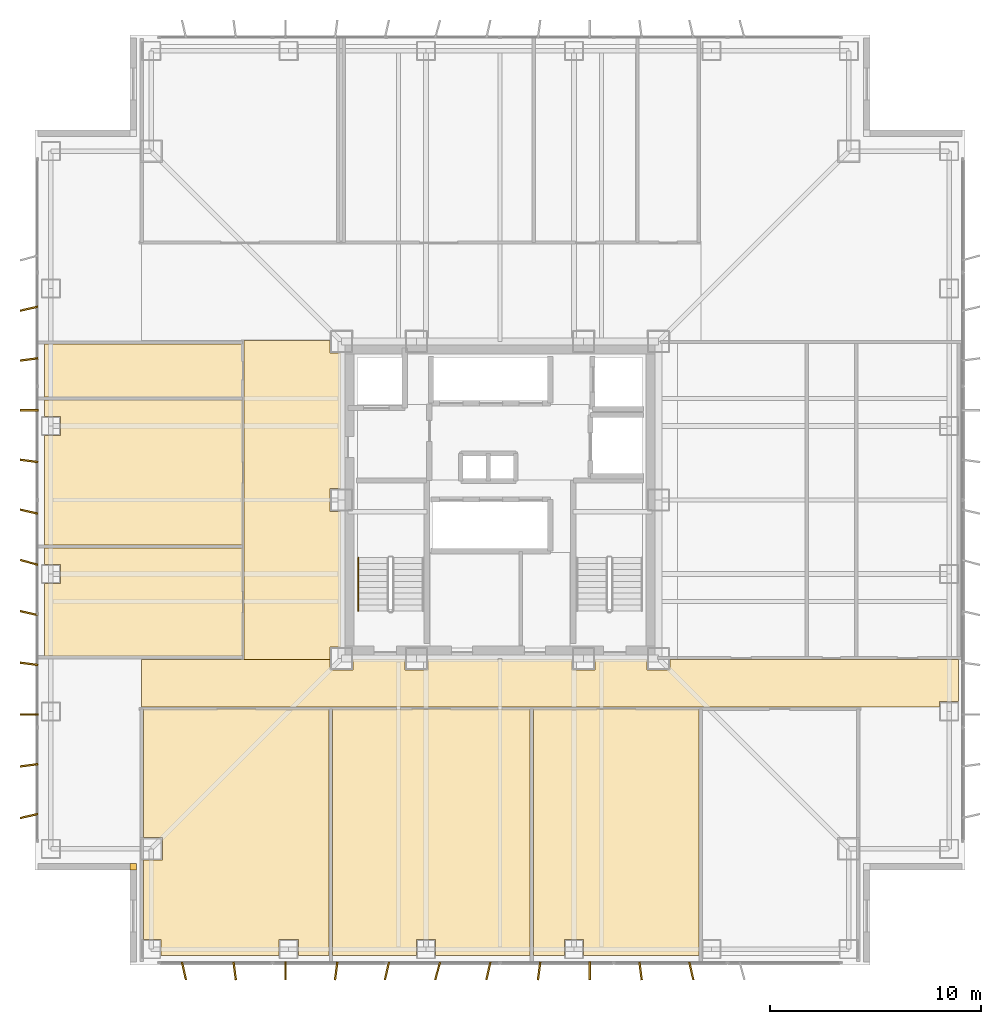
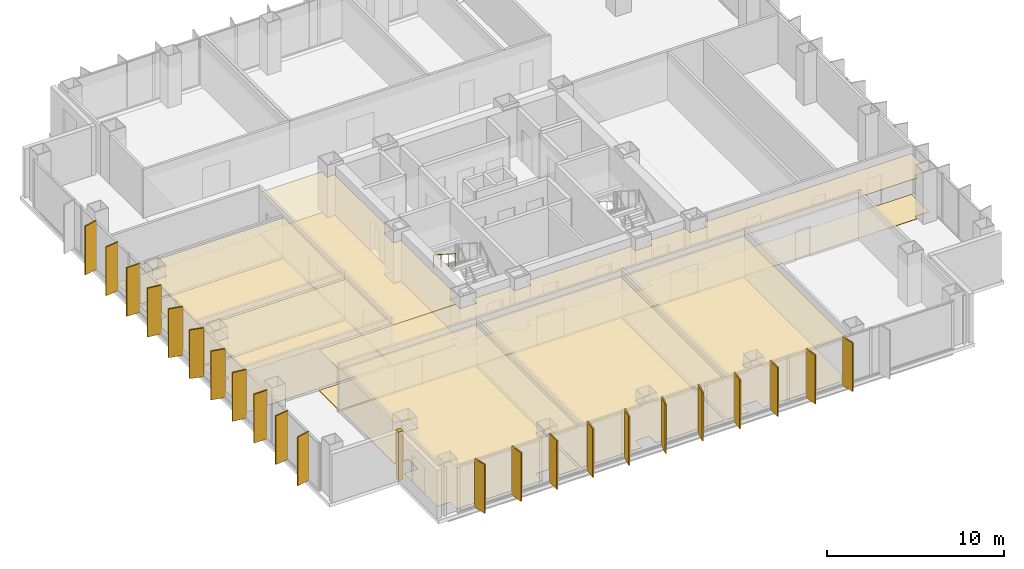
# One storey, part 12 of 14: 22 shading devices, 16 coverings, 1 railing.
"""IFC4 building model written with IfcOpenShell, lengths in metres."""

from ifc_helpers import new_model, si_unit, direction, frame, origin, origin_2d, place, context, subcontext, project, spatial, polyline, rectangle, circle, outline, extrude, material, layer, layer_set, type_object, element, save


model = new_model("IFC4")

# Units and contexts
model_context = context("Model", 3, precision=1e-05, world=origin(), true_north=direction((0.0, 1.0)))
body_context = subcontext(model_context, "Body", "Model", "MODEL_VIEW")
ifc_project = project(units=[si_unit("LENGTHUNIT", "METRE"), si_unit("AREAUNIT", "SQUARE_METRE"), si_unit("VOLUMEUNIT", "CUBIC_METRE"), si_unit("PLANEANGLEUNIT", "RADIAN"), si_unit("MASSUNIT", "GRAM", prefix="KILO")], contexts=[model_context])

# Site, building, storey
site_placement = place(None, origin())
site = spatial("IfcSite", under=ifc_project, at=site_placement, CompositionType="ELEMENT")
building_placement = place(site_placement, origin())
building = spatial("IfcBuilding", under=site, at=building_placement, Name="Trevonay Congress Spire", CompositionType="ELEMENT")
storey_placement = place(building_placement, frame((0.0, 0.0, 137.199951171875)))
storey = spatial("IfcBuildingStorey", under=building, at=storey_placement, Name="L35", CompositionType="ELEMENT", Elevation=137.199951171875)

# Coverings
ifc_material_1 = material(Name="Acoustic Mineral Fibre Board", Category="gypsum")
ifc_layer_1 = layer(ifc_material_1, 0.02490234375, Name="Acoustic Mineral Fibre Board")
ifc_layer_set_1 = layer_set([ifc_layer_1], Name="Acoustic Mineral Fibre Board")
covering_type_1 = type_object("IfcCoveringType", Name="COV-CEIL-ACOUSTIC", PredefinedType="CEILING", material=ifc_layer_set_1)
covering_1_placement = place(storey_placement, frame((0.0, 0.0, 2.81005859375)))
element("IfcCovering", 1, at=covering_1_placement, inside=storey, type_object=covering_type_1, Name="L35 Congress South Spine Corridor acoustic suspended ceiling", PredefinedType="CEILING", context=body_context, shape_type="SweptSolid", body=[
    extrude(outline(polyline([(-16.949951171875, -9.800048828125), (-16.949951171875, -7.550048828125), (-8.034912109375, -7.550048828125), (-8.034912109375, -8.034912109375), (-6.965087890625, -8.034912109375), (-6.965087890625, -7.550048828125), (-4.485107421875, -7.550048828125), (-4.485107421875, -8.034912109375), (-3.4150390625, -8.034912109375), (-3.4150390625, -7.550048828125), (3.4150390625, -7.550048828125), (3.4150390625, -8.034912109375), (4.485107421875, -8.034912109375), (4.485107421875, -7.550048828125), (6.965087890625, -7.550048828125), (6.965087890625, -8.034912109375), (8.034912109375, -8.034912109375), (8.034912109375, -7.550048828125), (21.699951171875, -7.550048828125), (21.699951171875, -9.5400390625), (20.7900390625, -9.5400390625), (20.7900390625, -9.800048828125), (-16.949951171875, -9.800048828125)])), origin(), (0.0, 0.0, 1.0), 0.02490234375),
])
covering_2_placement = place(storey_placement, frame((0.0, 0.0, 2.81005859375)))
element("IfcCovering", 2, at=covering_2_placement, inside=storey, type_object=covering_type_1, Name="L35 West Sky Promenade Salon acoustic suspended ceiling", PredefinedType="CEILING", context=body_context, shape_type="SweptSolid", body=[
    extrude(outline(polyline([(-12.10009765625, 7.550048828125), (-8.034912109375, 7.550048828125), (-8.034912109375, 6.965087890625), (-7.550048828125, 6.965087890625), (-7.550048828125, 0.534912109375), (-8.034912109375, 0.534912109375), (-8.034912109375, -0.534912109375), (-7.550048828125, -0.534912109375), (-7.550048828125, -6.965087890625), (-8.034912109375, -6.965087890625), (-8.034912109375, -7.5400390625), (-12.10009765625, -7.5400390625), (-12.10009765625, 7.550048828125)])), origin(), (0.0, 0.0, 1.0), 0.02490234375),
])
covering_3_placement = place(storey_placement, frame((0.0, 0.0, 2.81005859375)))
element("IfcCovering", 3, at=covering_3_placement, inside=storey, type_object=covering_type_1, Name="L35 Diplomatic Academy Lecture Room 1 acoustic suspended ceiling", PredefinedType="CEILING", context=body_context, shape_type="SweptSolid", body=[
    extrude(outline(polyline([(-16.0400390625, -21.550048828125), (-16.0400390625, -20.7900390625), (-16.8701171875, -20.7900390625), (-16.8701171875, -17.034912109375), (-15.965087890625, -17.034912109375), (-15.965087890625, -15.965087890625), (-16.8701171875, -15.965087890625), (-16.8701171875, -9.8798828125), (-8.080078125, -9.8798828125), (-8.080078125, -21.550048828125), (-9.5400390625, -21.550048828125), (-9.5400390625, -20.7900390625), (-10.4599609375, -20.7900390625), (-10.4599609375, -21.550048828125), (-16.0400390625, -21.550048828125)])), origin(), (0.0, 0.0, 1.0), 0.02490234375),
])
covering_4_placement = place(storey_placement, frame((0.0, 0.0, 2.81005859375)))
element("IfcCovering", 4, at=covering_4_placement, inside=storey, type_object=covering_type_1, Name="L35 Language Lab Classroom 2 acoustic suspended ceiling", PredefinedType="CEILING", context=body_context, shape_type="SweptSolid", body=[
    extrude(outline(polyline([(-7.919921875, -21.550048828125), (-7.919921875, -9.8798828125), (1.419921875, -9.8798828125), (1.419921875, -21.550048828125), (-3.0400390625, -21.550048828125), (-3.0400390625, -20.7900390625), (-3.9599609375, -20.7900390625), (-3.9599609375, -21.550048828125), (-7.919921875, -21.550048828125)])), origin(), (0.0, 0.0, 1.0), 0.02490234375),
])
covering_5_placement = place(storey_placement, frame((0.0, 0.0, 2.81005859375)))
element("IfcCovering", 5, at=covering_5_placement, inside=storey, type_object=covering_type_1, Name="L35 Reference Library Reading Hall acoustic suspended ceiling", PredefinedType="CEILING", context=body_context, shape_type="SweptSolid", body=[
    extrude(outline(polyline([(1.580078125, -21.550048828125), (1.580078125, -9.8798828125), (9.419921875, -9.8798828125), (9.419921875, -21.550048828125), (3.9599609375, -21.550048828125), (3.9599609375, -20.7900390625), (3.0400390625, -20.7900390625), (3.0400390625, -21.550048828125), (1.580078125, -21.550048828125)])), origin(), (0.0, 0.0, 1.0), 0.02490234375),
])
covering_6_placement = place(storey_placement, frame((0.0, 0.0, 2.81005859375)))
element("IfcCovering", 6, at=covering_6_placement, inside=storey, type_object=covering_type_1, Name="L35 Faculty Office West acoustic suspended ceiling", PredefinedType="CEILING", context=body_context, shape_type="SweptSolid", body=[
    extrude(outline(polyline([(-21.550048828125, -2.280029296875), (-12.179931640625, -2.280029296875), (-12.179931640625, -7.3701171875), (-21.550048828125, -7.3701171875), (-21.550048828125, -3.9599609375), (-20.7900390625, -3.9599609375), (-20.7900390625, -3.0400390625), (-21.550048828125, -3.0400390625), (-21.550048828125, -2.280029296875)])), origin(), (0.0, 0.0, 1.0), 0.02490234375),
])
covering_7_placement = place(storey_placement, frame((0.0, 0.0, 2.81005859375)))
element("IfcCovering", 7, at=covering_7_placement, inside=storey, type_object=covering_type_1, Name="L35 Tutorial Seminar Room acoustic suspended ceiling", PredefinedType="CEILING", context=body_context, shape_type="SweptSolid", body=[
    extrude(outline(polyline([(-21.550048828125, 4.719970703125), (-12.179931640625, 4.719970703125), (-12.179931640625, -2.1201171875), (-21.550048828125, -2.1201171875), (-21.550048828125, 3.0400390625), (-20.7900390625, 3.0400390625), (-20.7900390625, 3.9599609375), (-21.550048828125, 3.9599609375), (-21.550048828125, 4.719970703125)])), origin(), (0.0, 0.0, 1.0), 0.02490234375),
])
ifc_material_2 = material(Name="Polished Granite Floor Tile", Category="masonry")
ifc_layer_2 = layer(ifc_material_2, 0.02001953125, Name="Polished Granite Floor Tile")
ifc_layer_set_2 = layer_set([ifc_layer_2], Name="Polished Granite Floor Tile")
covering_type_2 = type_object("IfcCoveringType", Name="COV-FLOOR-STONE", PredefinedType="FLOORING", material=ifc_layer_set_2)
covering_8_placement = place(storey_placement, origin())
element("IfcCovering", 8, at=covering_8_placement, inside=storey, type_object=covering_type_2, Name="L35 Congress South Spine Corridor floor finish", PredefinedType="FLOORING", context=body_context, shape_type="SweptSolid", body=[
    extrude(outline(polyline([(-16.949951171875, -9.800048828125), (-16.949951171875, -7.550048828125), (-8.034912109375, -7.550048828125), (-8.034912109375, -8.034912109375), (-6.965087890625, -8.034912109375), (-6.965087890625, -7.550048828125), (-4.485107421875, -7.550048828125), (-4.485107421875, -8.034912109375), (-3.4150390625, -8.034912109375), (-3.4150390625, -7.550048828125), (3.4150390625, -7.550048828125), (3.4150390625, -8.034912109375), (4.485107421875, -8.034912109375), (4.485107421875, -7.550048828125), (6.965087890625, -7.550048828125), (6.965087890625, -8.034912109375), (8.034912109375, -8.034912109375), (8.034912109375, -7.550048828125), (21.699951171875, -7.550048828125), (21.699951171875, -9.5400390625), (20.7900390625, -9.5400390625), (20.7900390625, -9.800048828125), (-16.949951171875, -9.800048828125)])), origin(), (0.0, 0.0, 1.0), 0.02001953125),
])
covering_9_placement = place(storey_placement, origin())
element("IfcCovering", 9, at=covering_9_placement, inside=storey, type_object=covering_type_2, Name="L35 Accessible WC floor finish", PredefinedType="FLOORING", context=body_context, shape_type="SweptSolid", body=[
    extrude(outline(polyline([(-21.550048828125, 4.8798828125), (-12.179931640625, 4.8798828125), (-12.179931640625, 7.3701171875), (-21.550048828125, 7.3701171875), (-21.550048828125, 4.8798828125)])), origin(), (0.0, 0.0, 1.0), 0.02001953125),
])
ifc_material_3 = material(Name="Engineered Oak Flooring", Category="wood")
ifc_layer_3 = layer(ifc_material_3, 0.01806640625, Name="Engineered Oak Flooring")
ifc_layer_set_3 = layer_set([ifc_layer_3], Name="Engineered Oak Flooring")
covering_type_3 = type_object("IfcCoveringType", Name="COV-FLOOR-TIMBER", PredefinedType="FLOORING", material=ifc_layer_set_3)
covering_10_placement = place(storey_placement, origin())
element("IfcCovering", 10, at=covering_10_placement, inside=storey, type_object=covering_type_3, Name="L35 West Sky Promenade Salon floor finish", PredefinedType="FLOORING", context=body_context, shape_type="SweptSolid", body=[
    extrude(outline(polyline([(-12.10009765625, 7.550048828125), (-8.034912109375, 7.550048828125), (-8.034912109375, 6.965087890625), (-7.550048828125, 6.965087890625), (-7.550048828125, 0.534912109375), (-8.034912109375, 0.534912109375), (-8.034912109375, -0.534912109375), (-7.550048828125, -0.534912109375), (-7.550048828125, -6.965087890625), (-8.034912109375, -6.965087890625), (-8.034912109375, -7.5400390625), (-12.10009765625, -7.5400390625), (-12.10009765625, 7.550048828125)])), origin(), (0.0, 0.0, 1.0), 0.01806640625),
])
covering_11_placement = place(storey_placement, origin())
element("IfcCovering", 11, at=covering_11_placement, inside=storey, type_object=covering_type_3, Name="L35 Diplomatic Academy Lecture Room 1 floor finish", PredefinedType="FLOORING", context=body_context, shape_type="SweptSolid", body=[
    extrude(outline(polyline([(-16.0400390625, -21.550048828125), (-16.0400390625, -20.7900390625), (-16.8701171875, -20.7900390625), (-16.8701171875, -17.034912109375), (-15.965087890625, -17.034912109375), (-15.965087890625, -15.965087890625), (-16.8701171875, -15.965087890625), (-16.8701171875, -9.8798828125), (-8.080078125, -9.8798828125), (-8.080078125, -21.550048828125), (-9.5400390625, -21.550048828125), (-9.5400390625, -20.7900390625), (-10.4599609375, -20.7900390625), (-10.4599609375, -21.550048828125), (-16.0400390625, -21.550048828125)])), origin(), (0.0, 0.0, 1.0), 0.01806640625),
])
covering_12_placement = place(storey_placement, origin())
element("IfcCovering", 12, at=covering_12_placement, inside=storey, type_object=covering_type_3, Name="L35 Language Lab Classroom 2 floor finish", PredefinedType="FLOORING", context=body_context, shape_type="SweptSolid", body=[
    extrude(outline(polyline([(-7.919921875, -21.550048828125), (-7.919921875, -9.8798828125), (1.419921875, -9.8798828125), (1.419921875, -21.550048828125), (-3.0400390625, -21.550048828125), (-3.0400390625, -20.7900390625), (-3.9599609375, -20.7900390625), (-3.9599609375, -21.550048828125), (-7.919921875, -21.550048828125)])), origin(), (0.0, 0.0, 1.0), 0.01806640625),
])
covering_13_placement = place(storey_placement, origin())
element("IfcCovering", 13, at=covering_13_placement, inside=storey, type_object=covering_type_3, Name="L35 Reference Library Reading Hall floor finish", PredefinedType="FLOORING", context=body_context, shape_type="SweptSolid", body=[
    extrude(outline(polyline([(1.580078125, -21.550048828125), (1.580078125, -9.8798828125), (9.419921875, -9.8798828125), (9.419921875, -21.550048828125), (3.9599609375, -21.550048828125), (3.9599609375, -20.7900390625), (3.0400390625, -20.7900390625), (3.0400390625, -21.550048828125), (1.580078125, -21.550048828125)])), origin(), (0.0, 0.0, 1.0), 0.01806640625),
])
covering_14_placement = place(storey_placement, origin())
element("IfcCovering", 14, at=covering_14_placement, inside=storey, type_object=covering_type_3, Name="L35 Faculty Office West floor finish", PredefinedType="FLOORING", context=body_context, shape_type="SweptSolid", body=[
    extrude(outline(polyline([(-21.550048828125, -2.280029296875), (-12.179931640625, -2.280029296875), (-12.179931640625, -7.3701171875), (-21.550048828125, -7.3701171875), (-21.550048828125, -3.9599609375), (-20.7900390625, -3.9599609375), (-20.7900390625, -3.0400390625), (-21.550048828125, -3.0400390625), (-21.550048828125, -2.280029296875)])), origin(), (0.0, 0.0, 1.0), 0.01806640625),
])
covering_15_placement = place(storey_placement, origin())
element("IfcCovering", 15, at=covering_15_placement, inside=storey, type_object=covering_type_3, Name="L35 Tutorial Seminar Room floor finish", PredefinedType="FLOORING", context=body_context, shape_type="SweptSolid", body=[
    extrude(outline(polyline([(-21.550048828125, 4.719970703125), (-12.179931640625, 4.719970703125), (-12.179931640625, -2.1201171875), (-21.550048828125, -2.1201171875), (-21.550048828125, 3.0400390625), (-20.7900390625, 3.0400390625), (-20.7900390625, 3.9599609375), (-21.550048828125, 3.9599609375), (-21.550048828125, 4.719970703125)])), origin(), (0.0, 0.0, 1.0), 0.01806640625),
])
ifc_material_4 = material(Name="Pale Anodised Aluminium EN AW-6063-T6", Category="aluminium")
ifc_layer_4 = layer(ifc_material_4, 0.0400390625, Name="Pale Anodised Aluminium EN AW-6063-T6")
ifc_layer_set_4 = layer_set([ifc_layer_4], Name="Pale Anodised Aluminium EN AW-6063-T6")
covering_type_4 = type_object("IfcCoveringType", Name="COV-SPANDREL-PALE-METAL", PredefinedType="CLADDING", material=ifc_layer_set_4)
covering_16_placement = place(storey_placement, origin())
element("IfcCovering", 16, at=covering_16_placement, inside=storey, type_object=covering_type_4, Name="L35 SW re-entrant notch corner closure trim", PredefinedType="CLADDING", context=body_context, shape_type="SweptSolid", body=[
    extrude(outline(polyline([(-17.5, -17.5), (-17.199951171875, -17.5), (-17.199951171875, -17.199951171875), (-17.5, -17.199951171875), (-17.5, -17.5)])), origin(), (0.0, 0.0, 1.0), 3.360107421875),
])

# Railing
railing_type = type_object("IfcRailingType", Name="RAL-STAIR-HANDRAIL", PredefinedType="HANDRAIL", material=ifc_material_4)
railing_placement = place(storey_placement, frame((-6.699951171875, -2.72998046875, 1.97998046875)))
element("IfcRailing", 17, at=railing_placement, inside=storey, type_object=railing_type, Name="L35 ST-1 stair handrail 2", PredefinedType="HANDRAIL", context=body_context, shape_type="SweptSolid", body=[
    extrude(circle(Radius=0.02392578125, at=origin_2d()), frame((0.0, 0.0, 0.8759765625), z_axis=(0.0, -0.841162588446, 0.540782303519), x_axis=(1.0, 0.0, 0.0)), (0.0, 0.0, 1.0), 2.995849609375),
    extrude(circle(Radius=0.02099609375, at=origin_2d()), origin(), (0.0, 0.0, 1.0), 0.851806640625),
    extrude(circle(Radius=0.02099609375, at=origin_2d()), frame((0.0, -0.840087890625, 0.5400390625)), (0.0, 0.0, 1.0), 0.851806640625),
    extrude(circle(Radius=0.02099609375, at=origin_2d()), frame((0.0, -1.679931640625, 1.080078125)), (0.0, 0.0, 1.0), 0.851806640625),
    extrude(circle(Radius=0.02099609375, at=origin_2d()), frame((0.0, -2.52001953125, 1.6201171875)), (0.0, 0.0, 1.0), 0.851806640625),
])

# Shading devices
shading_device_type = type_object("IfcShadingDeviceType", Name="SHD-FIN-Z2-PALE-METAL", PredefinedType="USERDEFINED", material=ifc_material_4)
for number, where, z_axis, x_axis, name in (
    (18, (-14.949951171875, -22.280029296875, 0.0), (0.0, 0.0, 1.0), (0.97440931131, 0.224780991261, 0.0), "L35 S vertical pale-metal solar fin 1"),
    (19, (-12.550048828125, -22.280029296875, 0.0), (0.0, 0.0, 1.0), (0.991444861374, 0.13052619222, 0.0), "L35 S vertical pale-metal solar fin 2"),
    (20, (-10.14990234375, -22.280029296875, 0.0), (0.0, 0.0, 1.0), (1.0, 0.0, 0.0), "L35 S vertical pale-metal solar fin 3"),
    (21, (-7.75, -22.280029296875, 0.0), (0.0, 0.0, 1.0), (0.991444861374, -0.13052619222, 0.0), "L35 S vertical pale-metal solar fin 4"),
    (22, (-5.35009765625, -22.280029296875, 0.0), (0.0, 0.0, 1.0), (0.97440931131, -0.224780991261, 0.0), "L35 S vertical pale-metal solar fin 5"),
    (23, (-2.949951171875, -22.280029296875, 0.0), (0.0, 0.0, 1.0), (0.965925826289, -0.258819045103, 0.0), "L35 S vertical pale-metal solar fin 6"),
    (24, (-0.550048828125, -22.280029296875, 0.0), (0.0, 0.0, 1.0), (0.97440931131, -0.224780991261, 0.0), "L35 S vertical pale-metal solar fin 7"),
    (25, (1.85009765625, -22.280029296875, 0.0), (0.0, 0.0, 1.0), (0.991444861374, -0.13052619222, 0.0), "L35 S vertical pale-metal solar fin 8"),
    (26, (4.25, -22.280029296875, 0.0), (0.0, 0.0, 1.0), (1.0, 0.0, 0.0), "L35 S vertical pale-metal solar fin 9"),
    (27, (6.64990234375, -22.280029296875, 0.0), (0.0, 0.0, 1.0), (0.991444861374, 0.13052619222, 0.0), "L35 S vertical pale-metal solar fin 10"),
    (28, (9.050048828125, -22.280029296875, 0.0), (0.0, 0.0, 1.0), (0.97440931131, 0.224780991261, 0.0), "L35 S vertical pale-metal solar fin 11"),
    (29, (-22.280029296875, -14.949951171875, 0.0), (0.0, 0.0, 1.0), (-0.224780991261, 0.97440931131, 0.0), "L35 W vertical pale-metal solar fin 1"),
    (30, (-22.280029296875, -12.550048828125, 0.0), (0.0, 0.0, 1.0), (-0.13052619222, 0.991444861374, 0.0), "L35 W vertical pale-metal solar fin 2"),
    (31, (-22.280029296875, -10.14990234375, 0.0), (0.0, 0.0, 1.0), (0.0, 1.0, 0.0), "L35 W vertical pale-metal solar fin 3"),
    (32, (-22.280029296875, -7.75, 0.0), (0.0, 0.0, 1.0), (0.13052619222, 0.991444861374, 0.0), "L35 W vertical pale-metal solar fin 4"),
    (33, (-22.280029296875, -5.35009765625, 0.0), (0.0, 0.0, 1.0), (0.224780991261, 0.97440931131, 0.0), "L35 W vertical pale-metal solar fin 5"),
    (34, (-22.280029296875, -2.949951171875, 0.0), (0.0, 0.0, 1.0), (0.258819045103, 0.965925826289, 0.0), "L35 W vertical pale-metal solar fin 6"),
    (35, (-22.280029296875, -0.550048828125, 0.0), (0.0, 0.0, 1.0), (0.224780991261, 0.97440931131, 0.0), "L35 W vertical pale-metal solar fin 7"),
    (36, (-22.280029296875, 1.85009765625, 0.0), (0.0, 0.0, 1.0), (0.13052619222, 0.991444861374, 0.0), "L35 W vertical pale-metal solar fin 8"),
    (37, (-22.280029296875, 4.25, 0.0), (0.0, 0.0, 1.0), (0.0, 1.0, 0.0), "L35 W vertical pale-metal solar fin 9"),
    (38, (-22.280029296875, 6.64990234375, 0.0), (0.0, 0.0, 1.0), (-0.13052619222, 0.991444861374, 0.0), "L35 W vertical pale-metal solar fin 10"),
    (39, (-22.280029296875, 9.050048828125, 0.0), (0.0, 0.0, 1.0), (-0.224780991261, 0.97440931131, 0.0), "L35 W vertical pale-metal solar fin 11"),
):
    element("IfcShadingDevice", number, at=place(storey_placement, frame(where, z_axis=z_axis, x_axis=x_axis)), inside=storey, type_object=shading_device_type, Name=name, ObjectType="SOLAR FIN", PredefinedType="USERDEFINED", context=body_context, shape_type="SweptSolid", body=[
        extrude(rectangle(XDim=0.080078125, YDim=0.85009765625, at=origin_2d()), origin(), (0.0, 0.0, 1.0), 3.360107421875),
    ])

save(model, "model.ifc")
